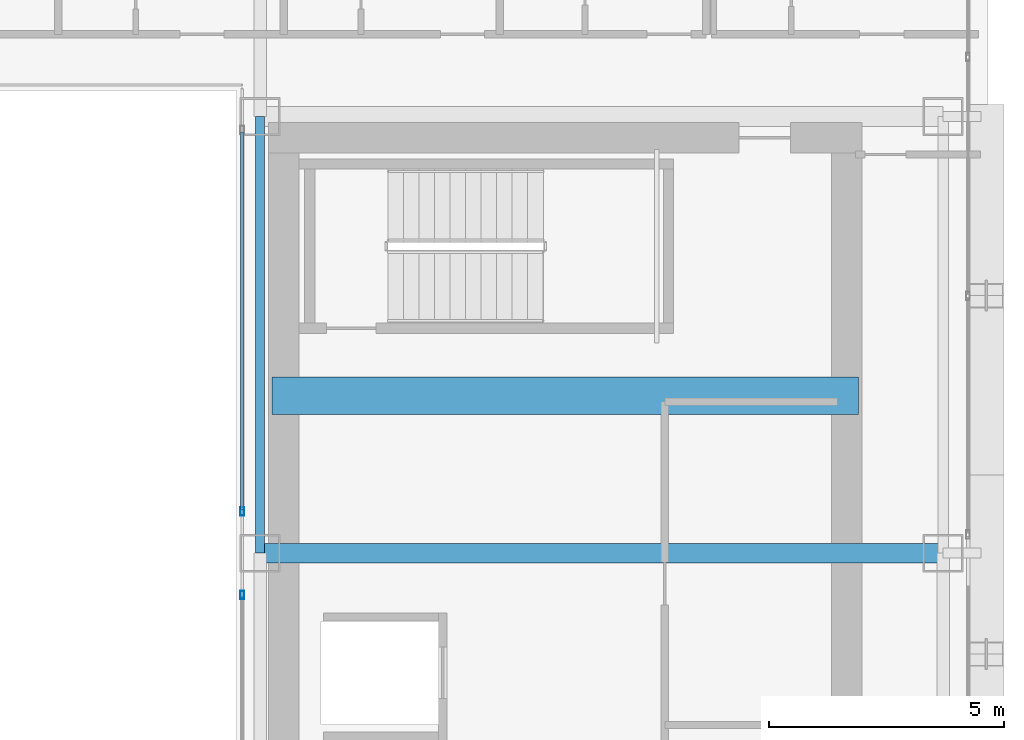
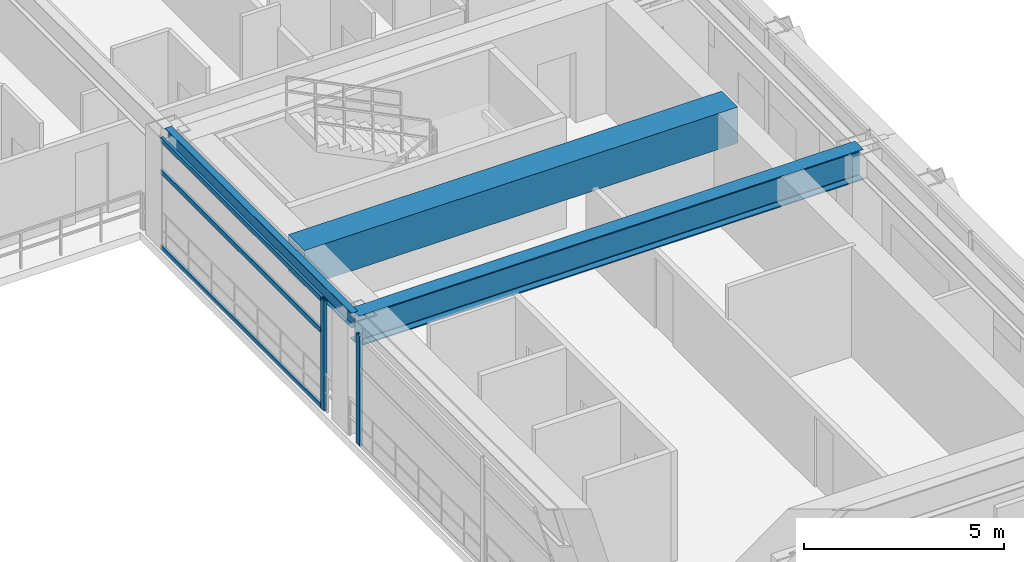
# One storey, part 17 of 39: 5 members, 3 beams, 2 elements without a shape of their own.
"""IFC4 building model written with IfcOpenShell, lengths in metres."""

from ifc_helpers import new_model, si_unit, direction, frame, origin, origin_2d, place, context, subcontext, project, spatial, rectangle, hollow_rectangle, i_section, extrude, source, transform, mapped, material, layer, layer_set, material_profile, profile_set, type_object, element, aggregate, save


model = new_model("IFC4")

# Units and contexts
model_context = context("Model", 3, precision=1e-05, world=origin(), true_north=direction((0.0, 1.0)))
body_context = subcontext(model_context, "Body", "Model", "MODEL_VIEW")
ifc_project = project(units=[si_unit("LENGTHUNIT", "METRE"), si_unit("AREAUNIT", "SQUARE_METRE"), si_unit("VOLUMEUNIT", "CUBIC_METRE"), si_unit("PLANEANGLEUNIT", "RADIAN"), si_unit("MASSUNIT", "GRAM", prefix="KILO")], contexts=[model_context])

# Site, building, storey
site_placement = place(None, origin())
site = spatial("IfcSite", under=ifc_project, at=site_placement, CompositionType="ELEMENT")
building_placement = place(site_placement, origin())
building = spatial("IfcBuilding", under=site, at=building_placement, Name="Ocotamira Hotel", CompositionType="ELEMENT")
storey_placement = place(building_placement, frame((0.0, 0.0, 104.39990234375)))
storey = spatial("IfcBuildingStorey", under=building, at=storey_placement, Name="L25", CompositionType="ELEMENT", Elevation=104.39990234375)

# Beams
ifc_material_1 = material(Name="Concrete C60/75", Category="concrete")
ifc_material_profile_1 = material_profile(ifc_material_1, rectangle(XDim=0.800048828125, YDim=1.10009765625, at=origin_2d()), Name="RC800X1100")
ifc_profile_set_1 = profile_set([ifc_material_profile_1], Name="Concrete C60/75")
beam_type_1 = type_object("IfcBeamType", Name="BM-LINK-RC800", PredefinedType="LINTEL", material=ifc_profile_set_1)
shared_shape_1 = source(origin(), body_context, "Body", "SweptSolid", [
    extrude(rectangle(XDim=0.800048828125, YDim=1.10009765625, at=origin_2d()), origin(), (0.0, 0.0, 1.0), 12.5),
])
beam_1_placement = place(storey_placement, frame((40.75, 31.5, 2.81005859375), z_axis=(1.0, 0.0, 0.0), x_axis=(0.0, 1.0, 0.0)))
element("IfcBeam", 1, at=beam_1_placement, inside=storey, type_object=beam_type_1, Name="L25 East Core Coupling Beam", PredefinedType="LINTEL", context=body_context, shape_type="MappedRepresentation", body=[
    mapped(shared_shape_1, transform((0.0, 0.0, 0.0), scale=1.0)),
])
ifc_material_2 = material(Name="Steel ASTM A992 Grade 50", Category="steel")
ifc_material_profile_2 = material_profile(ifc_material_2, i_section(OverallWidth=0.41796875, OverallDepth=0.927001953125, WebThickness=0.019287109375, FlangeThickness=0.031982421875, FilletRadius=0.02392578125, at=origin_2d()), Name="W36X231")
ifc_profile_set_2 = profile_set([ifc_material_profile_2], Name="Steel ASTM A992 Grade 50")
beam_type_2 = type_object("IfcBeamType", Name="BM-GIRD-W36X231", PredefinedType="BEAM", material=ifc_profile_set_2)
shared_shape_2 = source(origin(), body_context, "Body", "SweptSolid", [
    extrude(i_section(OverallWidth=0.41796875, OverallDepth=0.927001953125, WebThickness=0.019287109375, FlangeThickness=0.031982421875, FilletRadius=0.02392578125, at=origin_2d()), origin(), (0.0, 0.0, 1.0), 14.550048828125),
])
beam_2_placement = place(storey_placement, frame((40.5, 28.14990234375, 2.896484375), z_axis=(1.0, 0.0, 0.0), x_axis=(0.0, 1.0, 0.0)))
element("IfcBeam", 2, at=beam_2_placement, inside=storey, type_object=beam_type_2, Name="L25 Girder Y28.15 X40.5-55.05", PredefinedType="BEAM", context=body_context, shape_type="MappedRepresentation", body=[
    mapped(shared_shape_2, transform((0.0, 0.0, 0.0), scale=1.0)),
])
ifc_material_profile_3 = material_profile(ifc_material_2, i_section(OverallWidth=0.18994140625, OverallDepth=0.45703125, WebThickness=0.009033203125, FlangeThickness=0.014404296875, FilletRadius=0.010009765625, at=origin_2d()), Name="W18X50")
ifc_profile_set_3 = profile_set([ifc_material_profile_3], Name="Steel ASTM A992 Grade 50")
beam_type_3 = type_object("IfcBeamType", Name="BM-SEC-W18X50", PredefinedType="JOIST", material=ifc_profile_set_3)
shared_shape_3 = source(origin(), body_context, "Body", "SweptSolid", [
    extrude(i_section(OverallWidth=0.18994140625, OverallDepth=0.45703125, WebThickness=0.009033203125, FlangeThickness=0.014404296875, FilletRadius=0.010009765625, at=origin_2d()), origin(), (0.0, 0.0, 1.0), 9.300048828125),
])
beam_3_placement = place(storey_placement, frame((40.5, 28.14990234375, 3.131591796875), z_axis=(0.0, 1.0, 0.0), x_axis=(-1.0, 0.0, 0.0)))
element("IfcBeam", 3, at=beam_3_placement, inside=storey, type_object=beam_type_3, Name="L25 Beam X40.5 Y28.15-37.45", PredefinedType="JOIST", context=body_context, shape_type="MappedRepresentation", body=[
    mapped(shared_shape_3, transform((0.0, 0.0, 0.0), scale=1.0)),
])

# Curtain wall, members
ifc_material_3 = material(Name="Anodised pale-metal aluminium and solar glass", Category="aluminium")
ifc_layer = layer(ifc_material_3, 0.159912109375)
ifc_layer_set = layer_set([ifc_layer], Name="Anodised pale-metal aluminium and solar glass")
curtain_wall_type = type_object("IfcCurtainWallType", Name="CW-SYS6-ATR", PredefinedType="NOTDEFINED", material=ifc_layer_set)
curtain_wall_1_placement = place(storey_placement, origin())
curtain_wall_1 = element("IfcCurtainWall", 4, at=curtain_wall_1_placement, inside=storey, type_object=curtain_wall_type, Name="L25 Curtain Wall CW-6 CW-L25-ATRE2", PredefinedType="NOTDEFINED")
ifc_material_4 = material(Name="Anodised pale-metal aluminium 6063-T6", Category="aluminium")
ifc_material_profile_4 = material_profile(ifc_material_4, hollow_rectangle(XDim=0.074951171875, YDim=0.14990234375, WallThickness=0.006103515625, at=origin_2d()), Name="HSS150X75X6")
ifc_profile_set_4 = profile_set([ifc_material_profile_4], Name="Anodised pale-metal aluminium 6063-T6")
member_type_1 = type_object("IfcMemberType", Name="CWT-150X75", PredefinedType="USERDEFINED", material=ifc_profile_set_4)
shared_shape_4 = source(origin(), body_context, "Body", "SweptSolid", [
    extrude(hollow_rectangle(XDim=0.074951171875, YDim=0.14990234375, WallThickness=0.006103515625, at=origin_2d()), origin(), (0.0, 0.0, 1.0), 8.0400390625),
])
member_1_placement = place(storey_placement, frame((40.1201171875, 29.080078125, 0.03759765625), z_axis=(0.0, 1.0, 0.0), x_axis=(-1.0, 0.0, 0.0)))
member_1 = element("IfcMember", 5, at=member_1_placement, type_object=member_type_1, Name="CW-6 transom 1.1", ObjectType="TRANSOM", PredefinedType="USERDEFINED", context=body_context, shape_type="MappedRepresentation", body=[
    mapped(shared_shape_4, transform((0.0, 0.0, 0.0), scale=1.0)),
])
member_2_placement = place(storey_placement, frame((40.1201171875, 29.080078125, 2.35009765625), z_axis=(0.0, 1.0, 0.0), x_axis=(-1.0, 0.0, 0.0)))
member_2 = element("IfcMember", 6, at=member_2_placement, type_object=member_type_1, Name="CW-6 transom 1.2", ObjectType="TRANSOM", PredefinedType="USERDEFINED", context=body_context, shape_type="MappedRepresentation", body=[
    mapped(shared_shape_4, transform((0.0, 0.0, 0.0), scale=1.0)),
])
member_3_placement = place(storey_placement, frame((40.1201171875, 29.080078125, 3.322509765625), z_axis=(0.0, 1.0, 0.0), x_axis=(-1.0, 0.0, 0.0)))
member_3 = element("IfcMember", 7, at=member_3_placement, type_object=member_type_1, Name="CW-6 transom 1.3", ObjectType="TRANSOM", PredefinedType="USERDEFINED", context=body_context, shape_type="MappedRepresentation", body=[
    mapped(shared_shape_4, transform((0.0, 0.0, 0.0), scale=1.0)),
])

# Curtain wall, member
curtain_wall_2_placement = place(storey_placement, origin())
curtain_wall_2 = element("IfcCurtainWall", 8, at=curtain_wall_2_placement, inside=storey, type_object=curtain_wall_type, Name="L25 Curtain Wall CW-6 CW-L25-ATRE1", PredefinedType="NOTDEFINED")
ifc_material_profile_5 = material_profile(ifc_material_4, hollow_rectangle(XDim=0.080078125, YDim=0.179931640625, WallThickness=0.006103515625, at=origin_2d()), Name="HSS180X80X6")
ifc_profile_set_5 = profile_set([ifc_material_profile_5], Name="Anodised pale-metal aluminium 6063-T6")
member_type_2 = type_object("IfcMemberType", Name="CWM-180X75", PredefinedType="MULLION", material=ifc_profile_set_5)
shared_shape_5 = source(origin(), body_context, "Body", "SweptSolid", [
    extrude(hollow_rectangle(XDim=0.080078125, YDim=0.179931640625, WallThickness=0.006103515625, at=origin_2d()), origin(), (0.0, 0.0, 1.0), 3.360107421875),
])
member_4_placement = place(storey_placement, frame((40.1201171875, 27.260009765625, 0.0), z_axis=(0.0, 0.0, 1.0), x_axis=(-1.0, 0.0, 0.0)))
member_4 = element("IfcMember", 9, at=member_4_placement, type_object=member_type_2, Name="CW-6 mullion 3", PredefinedType="MULLION", context=body_context, shape_type="MappedRepresentation", body=[
    mapped(shared_shape_5, transform((0.0, 0.0, 0.0), scale=1.0)),
])
aggregate(curtain_wall_2, [member_4])

# Member
member_5_placement = place(storey_placement, frame((40.1201171875, 29.0400390625, 0.0), z_axis=(0.0, 0.0, 1.0), x_axis=(-1.0, 0.0, 0.0)))
member_5 = element("IfcMember", 10, at=member_5_placement, type_object=member_type_2, Name="CW-6 mullion 1", PredefinedType="MULLION", context=body_context, shape_type="MappedRepresentation", body=[
    mapped(shared_shape_5, transform((0.0, 0.0, 0.0), scale=1.0)),
])

aggregate(curtain_wall_1, [member_5, member_1, member_2, member_3])

save(model, "model.ifc")
